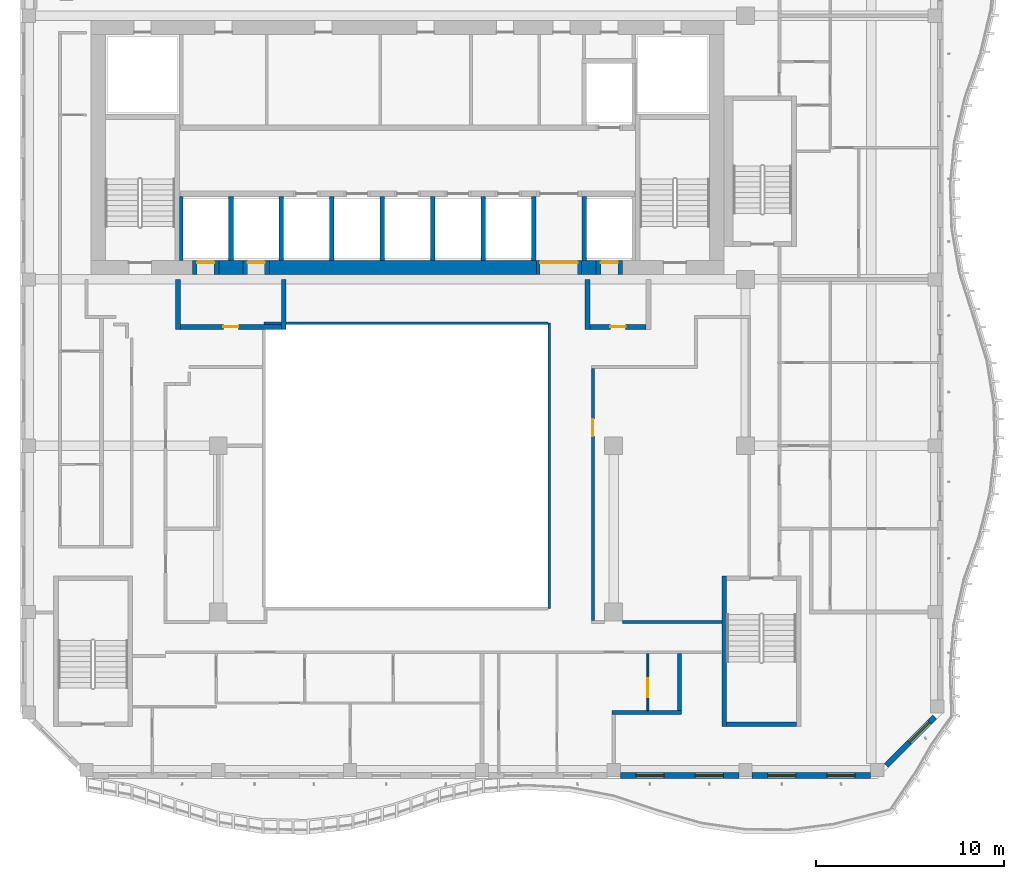
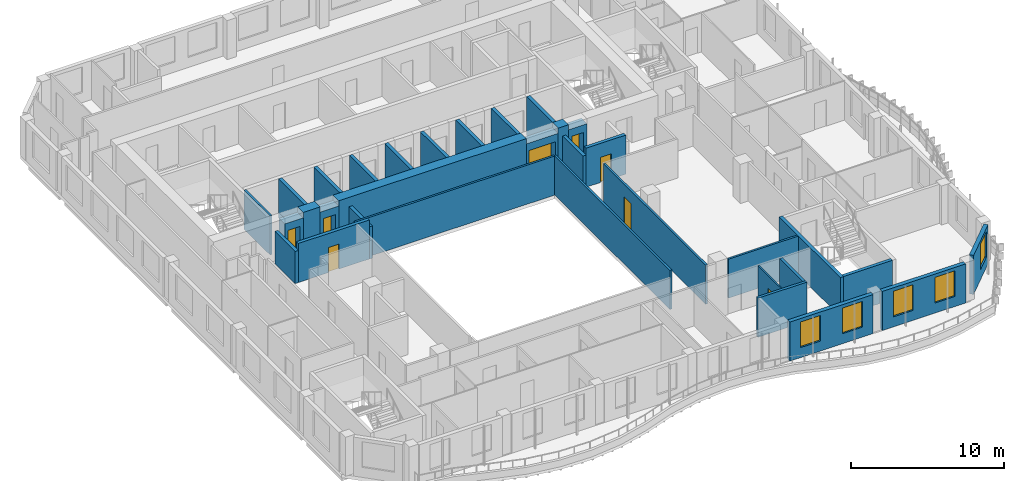
# One storey, part 4 of 19: 33 walls, 8 doors, 5 windows, 13 openings.
"""IFC4 building model written with IfcOpenShell, lengths in metres."""

from ifc_helpers import new_model, si_unit, direction, frame, frame_2d, origin, place, context, subcontext, project, spatial, rectangle, extrude, source, transform, mapped, material, layer, layer_set, type_object, element, fill, save


model = new_model("IFC4")

# Units and contexts
model_context = context("Model", 3, precision=1e-05, world=origin(), true_north=direction((0.0, 1.0)))
body_context = subcontext(model_context, "Body", "Model", "MODEL_VIEW")
ifc_project = project(units=[si_unit("LENGTHUNIT", "METRE"), si_unit("AREAUNIT", "SQUARE_METRE"), si_unit("VOLUMEUNIT", "CUBIC_METRE"), si_unit("PLANEANGLEUNIT", "RADIAN"), si_unit("MASSUNIT", "GRAM", prefix="KILO")], contexts=[model_context])

# Site, building, storey
site_placement = place(None, origin())
site = spatial("IfcSite", under=ifc_project, at=site_placement, CompositionType="ELEMENT")
building_placement = place(site_placement, origin())
building = spatial("IfcBuilding", under=site, at=building_placement, Name="Kilnfold Tower and Market Hall", CompositionType="ELEMENT")
storey_placement = place(building_placement, frame((0.0, 0.0, 242.39990234375)))
storey = spatial("IfcBuildingStorey", under=building, at=storey_placement, Name="L58", CompositionType="ELEMENT", Elevation=242.39990234375)

# Walls
ifc_material_1 = material(Name="Fire-resisting glazed screen")
ifc_layer_1 = layer(ifc_material_1, 0.14990234375)
ifc_layer_set_1 = layer_set([ifc_layer_1], Name="Fire-resisting glazed screen")
wall_type_1 = type_object("IfcWallType", Name="WALL ATRIUM 150", PredefinedType="PARTITIONING", material=ifc_layer_set_1)
wall_1_placement = place(storey_placement, frame((-6.574951171875, 5.675048828125, 0.0), z_axis=(0.0, 0.0, 1.0), x_axis=(1.0, 0.0, 0.0)))
element("IfcWall", 1, at=wall_1_placement, inside=storey, type_object=wall_type_1, Name="Partition LY35.110", PredefinedType="PARTITIONING", context=body_context, shape_type="SweptSolid", body=[
    extrude(rectangle(XDim=15.074951171875, YDim=0.14990234375, at=frame_2d((7.53759765625, 0.0))), origin(), (0.0, 0.0, 1.0), 3.1201171875),
])
wall_2_placement = place(storey_placement, frame((8.574951171875, 5.675048828125, 0.0), z_axis=(0.0, 0.0, 1.0), x_axis=(0.0, -1.0, 0.0)))
element("IfcWall", 2, at=wall_2_placement, inside=storey, type_object=wall_type_1, Name="Partition LY35.111", PredefinedType="PARTITIONING", context=body_context, shape_type="SweptSolid", body=[
    extrude(rectangle(XDim=15.150146484375, YDim=0.14990234375, at=frame_2d((7.5751953125, 0.0))), origin(), (0.0, 0.0, 1.0), 3.1201171875),
])

# Wall, opening, door
ifc_material_2 = material(Name="Gypsum board on steel studs", Category="steel")
ifc_layer_2 = layer(ifc_material_2, 0.14990234375)
ifc_layer_set_2 = layer_set([ifc_layer_2], Name="Gypsum board on steel studs")
wall_type_2 = type_object("IfcWallType", Name="WALL CORRIDOR 150", PredefinedType="PARTITIONING", material=ifc_layer_set_2)
wall_3_placement = place(storey_placement, frame((10.89990234375, -10.125, 0.0), z_axis=(0.0, 0.0, 1.0), x_axis=(0.0, 1.0, 0.0)))
wall_3 = element("IfcWall", 3, at=wall_3_placement, inside=storey, type_object=wall_type_2, Name="Partition LY35.45", PredefinedType="PARTITIONING", context=body_context, shape_type="SweptSolid", body=[
    extrude(rectangle(XDim=13.39990234375, YDim=0.14990234375, at=frame_2d((6.699951171875, 0.0))), origin(), (0.0, 0.0, 1.0), 3.1201171875),
])
opening_1_placement = place(wall_3_placement, frame((9.800048828125, 0.0, 0.0)))
opening_1 = element("IfcOpeningElement", 4, at=opening_1_placement, cuts=wall_3, Name="Opening D2", PredefinedType="OPENING", context=body_context, shape_type="SweptSolid", body=[
    extrude(rectangle(XDim=0.89990234375, YDim=2.10009765625, at=frame_2d((0.449951171875, 1.050048828125))), frame((0.0, 0.0849609375, 0.0), z_axis=(0.0, -1.0, 0.0), x_axis=(1.0, 0.0, 0.0)), (0.0, 0.0, 1.0), 0.169921875),
])
ifc_material_3 = material(Name="Timber veneer door leaf in steel frame", Category="steel")
door_type_1 = type_object("IfcDoorType", Name="DOOR ROOM 900 X2100", OperationType="NOTDEFINED", PredefinedType="DOOR", material=ifc_material_3)
door_1_placement = place(opening_1_placement, origin())
door_1 = element("IfcDoor", 5, at=door_1_placement, inside=storey, type_object=door_type_1, Name="Door D2", OperationType="SINGLE_SWING_LEFT", OverallHeight=2.10009765625, OverallWidth=0.89990234375, PredefinedType="DOOR", context=body_context, shape_type="SweptSolid", body=[
    extrude(rectangle(XDim=0.89990234375, YDim=2.10009765625, at=frame_2d((0.449951171875, 1.050048828125))), frame((0.0, 0.02490234375, 0.0), z_axis=(0.0, -1.0, 0.0), x_axis=(1.0, 0.0, 0.0)), (0.0, 0.0, 1.0), 0.050048828125),
])
fill(opening_1, door_1)

# Wall
wall_4_placement = place(storey_placement, frame((12.47509765625, -10.199951171875, 0.0), z_axis=(0.0, 0.0, 1.0), x_axis=(1.0, 0.0, 0.0)))
element("IfcWall", 6, at=wall_4_placement, inside=storey, type_object=wall_type_2, Name="Partition LY35.46", PredefinedType="PARTITIONING", context=body_context, shape_type="SweptSolid", body=[
    extrude(rectangle(XDim=5.27490234375, YDim=0.14990234375, at=frame_2d((2.637451171875, 0.0))), origin(), (0.0, 0.0, 1.0), 3.1201171875),
])

# Wall, opening, door
ifc_material_4 = material(Name="Gypsum board on steel studs", Category="steel")
ifc_layer_3 = layer(ifc_material_4, 0.10009765625)
ifc_layer_set_3 = layer_set([ifc_layer_3], Name="Gypsum board on steel studs")
wall_type_3 = type_object("IfcWallType", Name="WALL PARTITION 100", PredefinedType="PARTITIONING", material=ifc_layer_set_3)
wall_5_placement = place(storey_placement, frame((13.820068359375, -14.89990234375, 0.0), z_axis=(0.0, 0.0, 1.0), x_axis=(0.0, 1.0, 0.0)))
wall_5 = element("IfcWall", 7, at=wall_5_placement, inside=storey, type_object=wall_type_3, Name="Partition LY35.65", PredefinedType="PARTITIONING", context=body_context, shape_type="SweptSolid", body=[
    extrude(rectangle(XDim=3.02294921875, YDim=0.10009765625, at=frame_2d((1.511474609375, 0.0))), origin(), (0.0, 0.0, 1.0), 3.1201171875),
])
opening_2_placement = place(wall_5_placement, frame((0.70703125, 0.0, 0.0)))
opening_2 = element("IfcOpeningElement", 8, at=opening_2_placement, cuts=wall_5, Name="Opening D1", PredefinedType="OPENING", context=body_context, shape_type="SweptSolid", body=[
    extrude(rectangle(XDim=1.0, YDim=2.10009765625, at=frame_2d((0.5, 1.050048828125))), frame((0.0, 0.06005859375, 0.0), z_axis=(0.0, -1.0, 0.0), x_axis=(1.0, 0.0, 0.0)), (0.0, 0.0, 1.0), 0.1201171875),
])
ifc_material_5 = material(Name="Timber veneer door leaf in steel frame", Category="steel")
door_type_2 = type_object("IfcDoorType", Name="DOOR ENTRY 1000 X2100", OperationType="NOTDEFINED", PredefinedType="DOOR", material=ifc_material_5)
door_2_placement = place(opening_2_placement, origin())
door_2 = element("IfcDoor", 9, at=door_2_placement, inside=storey, type_object=door_type_2, Name="Door D1", OperationType="SINGLE_SWING_RIGHT", OverallHeight=2.10009765625, OverallWidth=1.0, PredefinedType="DOOR", context=body_context, shape_type="SweptSolid", body=[
    extrude(rectangle(XDim=1.0, YDim=2.10009765625, at=frame_2d((0.5, 1.050048828125))), frame((0.0, 0.02490234375, 0.0), z_axis=(0.0, -1.0, 0.0), x_axis=(1.0, 0.0, 0.0)), (0.0, 0.0, 1.0), 0.050048828125),
])
fill(opening_2, door_2)

# Walls
ifc_material_6 = material(Name="Gypsum board on steel studs", Category="steel")
ifc_layer_4 = layer(ifc_material_6, 0.199951171875)
ifc_layer_set_4 = layer_set([ifc_layer_4], Name="Gypsum board on steel studs")
wall_type_4 = type_object("IfcWallType", Name="WALL PARTY 200", PredefinedType="PARTITIONING", material=ifc_layer_set_4)
wall_6_placement = place(storey_placement, frame((11.89990234375, -15.0, 0.0), z_axis=(0.0, 0.0, 1.0), x_axis=(1.0, 0.0, 0.0)))
element("IfcWall", 10, at=wall_6_placement, inside=storey, type_object=wall_type_4, Name="Partition LY35.66", PredefinedType="PARTITIONING", context=body_context, shape_type="SweptSolid", body=[
    extrude(rectangle(XDim=3.7001953125, YDim=0.199951171875, at=frame_2d((1.85009765625, 0.0))), origin(), (0.0, 0.0, 1.0), 3.1201171875),
])
wall_7_placement = place(storey_placement, frame((15.5, -14.89990234375, 0.0), z_axis=(0.0, 0.0, 1.0), x_axis=(0.0, 1.0, 0.0)))
element("IfcWall", 11, at=wall_7_placement, inside=storey, type_object=wall_type_4, Name="Partition LY35.68", PredefinedType="PARTITIONING", context=body_context, shape_type="SweptSolid", body=[
    extrude(rectangle(XDim=3.02294921875, YDim=0.199951171875, at=frame_2d((1.511474609375, 0.0))), origin(), (0.0, 0.0, 1.0), 3.1201171875),
])
ifc_material_7 = material(Name="Concrete C60", Category="concrete")
ifc_layer_5 = layer(ifc_material_7, 0.25)
ifc_layer_set_5 = layer_set([ifc_layer_5], Name="Concrete C60")
wall_type_5 = type_object("IfcWallType", Name="CORE WALL 250 C60", PredefinedType="SHEAR", material=ifc_layer_set_5)
shared_shape_1 = source(origin(), body_context, "Body", "SweptSolid", [
    extrude(rectangle(XDim=3.699951171875, YDim=0.25, at=frame_2d((1.85009765625, 0.0))), origin(), (0.0, 0.0, 1.0), 3.1201171875),
])
wall_8_placement = place(storey_placement, frame((18.0, -15.625, 0.0), z_axis=(0.0, 0.0, 1.0), x_axis=(1.0, 0.0, 0.0)))
element("IfcWall", 12, at=wall_8_placement, inside=storey, type_object=wall_type_5, Name="Stair enclosure ST4", PredefinedType="SHEAR", context=body_context, shape_type="MappedRepresentation", body=[
    mapped(shared_shape_1, transform((0.0, 0.0, 0.0))),
])
shared_shape_2 = source(origin(), body_context, "Body", "SweptSolid", [
    extrude(rectangle(XDim=8.0, YDim=0.25, at=frame_2d((4.0, 0.0))), origin(), (0.0, 0.0, 1.0), 3.1201171875),
])
wall_9_placement = place(storey_placement, frame((17.875, -15.75, 0.0), z_axis=(0.0, 0.0, 1.0), x_axis=(0.0, 1.0, 0.0)))
element("IfcWall", 13, at=wall_9_placement, inside=storey, type_object=wall_type_5, Name="Stair enclosure ST4", PredefinedType="SHEAR", context=body_context, shape_type="MappedRepresentation", body=[
    mapped(shared_shape_2, transform((0.0, 0.0, 0.0))),
])
ifc_material_8 = material(Name="Concrete C60", Category="concrete")
ifc_layer_6 = layer(ifc_material_8, 0.75)
ifc_layer_set_6 = layer_set([ifc_layer_6], Name="Concrete C60")
wall_type_6 = type_object("IfcWallType", Name="CORE WALL 750 C60", PredefinedType="SHEAR", material=ifc_layer_set_6)
shared_shape_3 = source(origin(), body_context, "Body", "SweptSolid", [
    extrude(rectangle(XDim=1.280029296875, YDim=0.75, at=frame_2d((0.64013671875, 0.0))), origin(), (0.0, 0.0, 1.0), 3.1201171875),
])
wall_10_placement = place(storey_placement, frame((-8.969970703125, 8.625, 0.0), z_axis=(0.0, 0.0, 1.0), x_axis=(1.0, 0.0, 0.0)))
element("IfcWall", 14, at=wall_10_placement, inside=storey, type_object=wall_type_6, Name="Core outer wall south", PredefinedType="SHEAR", context=body_context, shape_type="MappedRepresentation", body=[
    mapped(shared_shape_3, transform((0.0, 0.0, 0.0))),
])
shared_shape_4 = source(origin(), body_context, "Body", "SweptSolid", [
    extrude(rectangle(XDim=14.179931640625, YDim=0.75, at=frame_2d((7.08984375, 0.0))), origin(), (0.0, 0.0, 1.0), 3.1201171875),
])
wall_11_placement = place(storey_placement, frame((-6.2900390625, 8.625, 0.0), z_axis=(0.0, 0.0, 1.0), x_axis=(1.0, 0.0, 0.0)))
element("IfcWall", 15, at=wall_11_placement, inside=storey, type_object=wall_type_6, Name="Core outer wall south", PredefinedType="SHEAR", context=body_context, shape_type="MappedRepresentation", body=[
    mapped(shared_shape_4, transform((0.0, 0.0, 0.0))),
])
shared_shape_5 = source(origin(), body_context, "Body", "SweptSolid", [
    extrude(rectangle(XDim=0.780029296875, YDim=0.75, at=frame_2d((0.39013671875, 0.0))), origin(), (0.0, 0.0, 1.0), 3.1201171875),
])
wall_12_placement = place(storey_placement, frame((10.2900390625, 8.625, 0.0), z_axis=(0.0, 0.0, 1.0), x_axis=(1.0, 0.0, 0.0)))
element("IfcWall", 16, at=wall_12_placement, inside=storey, type_object=wall_type_6, Name="Core outer wall south", PredefinedType="SHEAR", context=body_context, shape_type="MappedRepresentation", body=[
    mapped(shared_shape_5, transform((0.0, 0.0, 0.0))),
])

# Wall, openings, windows
ifc_material_9 = material(Name="Precast concrete C50/60", Category="concrete")
ifc_layer_7 = layer(ifc_material_9, 0.300048828125)
ifc_layer_set_7 = layer_set([ifc_layer_7], Name="Precast concrete C50/60")
wall_type_7 = type_object("IfcWallType", Name="PRECAST WALL 300", PredefinedType="SOLIDWALL", material=ifc_layer_set_7)
shared_shape_6 = source(origin(), body_context, "Body", "SweptSolid", [
    extrude(rectangle(XDim=6.2998046875, YDim=0.300048828125, at=frame_2d((3.14990234375, 0.0))), origin(), (0.0, 0.0, 1.0), 3.1201171875),
])
wall_13_placement = place(storey_placement, frame((12.35009765625, -18.35009765625, 0.0), z_axis=(0.0, 0.0, 1.0), x_axis=(1.0, 0.0, 0.0)))
wall_13 = element("IfcWall", 17, at=wall_13_placement, inside=storey, type_object=wall_type_7, Name="External wall L58 S", PredefinedType="SOLIDWALL", context=body_context, shape_type="MappedRepresentation", body=[
    mapped(shared_shape_6, transform((0.0, 0.0, 0.0))),
])
opening_3_placement = place(wall_13_placement, frame((0.824951171875, 0.0, 0.800048828125)))
opening_3 = element("IfcOpeningElement", 18, at=opening_3_placement, cuts=wall_13, Name="Opening W5", PredefinedType="OPENING", context=body_context, shape_type="SweptSolid", body=[
    extrude(rectangle(XDim=1.5, YDim=2.050048828125, at=frame_2d((0.75, 1.02490234375))), frame((0.0, 0.16015625, 0.0), z_axis=(0.0, -1.0, 0.0), x_axis=(1.0, 0.0, 0.0)), (0.0, 0.0, 1.0), 0.320068359375),
])
opening_4_placement = place(wall_13_placement, frame((3.97509765625, 0.0, 0.800048828125)))
opening_4 = element("IfcOpeningElement", 19, at=opening_4_placement, cuts=wall_13, Name="Opening W5", PredefinedType="OPENING", context=body_context, shape_type="SweptSolid", body=[
    extrude(rectangle(XDim=1.5, YDim=2.050048828125, at=frame_2d((0.75, 1.02490234375))), frame((0.0, 0.16015625, 0.0), z_axis=(0.0, -1.0, 0.0), x_axis=(1.0, 0.0, 0.0)), (0.0, 0.0, 1.0), 0.320068359375),
])
ifc_material_10 = material(Name="Aluminium frame and double glazing", Category="aluminium")
window_type = type_object("IfcWindowType", Name="WINDOW W5 1500X2050", PartitioningType="SINGLE_PANEL", PredefinedType="WINDOW", material=ifc_material_10)
window_1_placement = place(opening_3_placement, origin())
window_1 = element("IfcWindow", 20, at=window_1_placement, inside=storey, type_object=window_type, Name="Window W5 L58 S-1", OverallHeight=2.050048828125, OverallWidth=1.5, PartitioningType="SINGLE_PANEL", PredefinedType="WINDOW", context=body_context, shape_type="SweptSolid", body=[
    extrude(rectangle(XDim=1.5, YDim=2.050048828125, at=frame_2d((0.75, 1.02490234375))), frame((0.0, 0.030029296875, 0.0), z_axis=(0.0, -1.0, 0.0), x_axis=(1.0, 0.0, 0.0)), (0.0, 0.0, 1.0), 0.06005859375),
])
fill(opening_3, window_1)
window_2_placement = place(opening_4_placement, origin())
window_2 = element("IfcWindow", 21, at=window_2_placement, inside=storey, type_object=window_type, Name="Window W5 L58 S-2", OverallHeight=2.050048828125, OverallWidth=1.5, PartitioningType="SINGLE_PANEL", PredefinedType="WINDOW", context=body_context, shape_type="SweptSolid", body=[
    extrude(rectangle(XDim=1.5, YDim=2.050048828125, at=frame_2d((0.75, 1.02490234375))), frame((0.0, 0.030029296875, 0.0), z_axis=(0.0, -1.0, 0.0), x_axis=(1.0, 0.0, 0.0)), (0.0, 0.0, 1.0), 0.06005859375),
])
fill(opening_4, window_2)

wall_14_placement = place(storey_placement, frame((19.35009765625, -18.35009765625, 0.0), z_axis=(0.0, 0.0, 1.0), x_axis=(1.0, 0.0, 0.0)))
wall_14 = element("IfcWall", 22, at=wall_14_placement, inside=storey, type_object=wall_type_7, Name="External wall L58 S", PredefinedType="SOLIDWALL", context=body_context, shape_type="MappedRepresentation", body=[
    mapped(shared_shape_6, transform((0.0, 0.0, 0.0))),
])
opening_5_placement = place(wall_14_placement, frame((0.824951171875, 0.0, 0.800048828125)))
opening_5 = element("IfcOpeningElement", 23, at=opening_5_placement, cuts=wall_14, Name="Opening W5", PredefinedType="OPENING", context=body_context, shape_type="SweptSolid", body=[
    extrude(rectangle(XDim=1.5, YDim=2.050048828125, at=frame_2d((0.75, 1.02490234375))), frame((0.0, 0.16015625, 0.0), z_axis=(0.0, -1.0, 0.0), x_axis=(1.0, 0.0, 0.0)), (0.0, 0.0, 1.0), 0.320068359375),
])
opening_6_placement = place(wall_14_placement, frame((3.97509765625, 0.0, 0.800048828125)))
opening_6 = element("IfcOpeningElement", 24, at=opening_6_placement, cuts=wall_14, Name="Opening W5", PredefinedType="OPENING", context=body_context, shape_type="SweptSolid", body=[
    extrude(rectangle(XDim=1.5, YDim=2.050048828125, at=frame_2d((0.75, 1.02490234375))), frame((0.0, 0.16015625, 0.0), z_axis=(0.0, -1.0, 0.0), x_axis=(1.0, 0.0, 0.0)), (0.0, 0.0, 1.0), 0.320068359375),
])
window_3_placement = place(opening_5_placement, origin())
window_3 = element("IfcWindow", 25, at=window_3_placement, inside=storey, type_object=window_type, Name="Window W5 L58 S-1", OverallHeight=2.050048828125, OverallWidth=1.5, PartitioningType="SINGLE_PANEL", PredefinedType="WINDOW", context=body_context, shape_type="SweptSolid", body=[
    extrude(rectangle(XDim=1.5, YDim=2.050048828125, at=frame_2d((0.75, 1.02490234375))), frame((0.0, 0.030029296875, 0.0), z_axis=(0.0, -1.0, 0.0), x_axis=(1.0, 0.0, 0.0)), (0.0, 0.0, 1.0), 0.06005859375),
])
fill(opening_5, window_3)
window_4_placement = place(opening_6_placement, origin())
window_4 = element("IfcWindow", 26, at=window_4_placement, inside=storey, type_object=window_type, Name="Window W5 L58 S-2", OverallHeight=2.050048828125, OverallWidth=1.5, PartitioningType="SINGLE_PANEL", PredefinedType="WINDOW", context=body_context, shape_type="SweptSolid", body=[
    extrude(rectangle(XDim=1.5, YDim=2.050048828125, at=frame_2d((0.75, 1.02490234375))), frame((0.0, 0.030029296875, 0.0), z_axis=(0.0, -1.0, 0.0), x_axis=(1.0, 0.0, 0.0)), (0.0, 0.0, 1.0), 0.06005859375),
])
fill(opening_6, window_4)

# Wall, opening, window
shared_shape_7 = source(origin(), body_context, "Body", "SweptSolid", [
    extrude(rectangle(XDim=3.6416015625, YDim=0.300048828125, at=frame_2d((1.82080078125, 0.0))), origin(), (0.0, 0.0, 1.0), 3.1201171875),
])
wall_15_placement = place(storey_placement, frame((26.468994140625, -17.81884765625, 0.0), z_axis=(0.0, 0.0, 1.0), x_axis=(0.707106781187, 0.707106781187, 0.0)))
wall_15 = element("IfcWall", 27, at=wall_15_placement, inside=storey, type_object=wall_type_7, Name="External wall L58 SE", PredefinedType="SOLIDWALL", context=body_context, shape_type="MappedRepresentation", body=[
    mapped(shared_shape_7, transform((0.0, 0.0, 0.0))),
])
opening_7_placement = place(wall_15_placement, frame((1.75, 0.0, 0.800048828125)))
opening_7 = element("IfcOpeningElement", 28, at=opening_7_placement, cuts=wall_15, Name="Opening W5", PredefinedType="OPENING", context=body_context, shape_type="SweptSolid", body=[
    extrude(rectangle(XDim=1.5, YDim=2.050048828125, at=frame_2d((0.75, 1.02490234375))), frame((0.0, 0.16015625, 0.0), z_axis=(0.0, -1.0, 0.0), x_axis=(1.0, 0.0, 0.0)), (0.0, 0.0, 1.0), 0.320068359375),
])
window_5_placement = place(opening_7_placement, origin())
window_5 = element("IfcWindow", 29, at=window_5_placement, inside=storey, type_object=window_type, Name="Window W5 L58 SE-1", OverallHeight=2.050048828125, OverallWidth=1.5, PartitioningType="SINGLE_PANEL", PredefinedType="WINDOW", context=body_context, shape_type="SweptSolid", body=[
    extrude(rectangle(XDim=1.5, YDim=2.050048828125, at=frame_2d((0.75, 1.02490234375))), frame((0.0, 0.030029296875, 0.0), z_axis=(0.0, -1.0, 0.0), x_axis=(1.0, 0.0, 0.0)), (0.0, 0.0, 1.0), 0.06005859375),
])
fill(opening_7, window_5)

# Wall, opening, door
ifc_material_11 = material(Name="Gypsum shaft wall system")
ifc_layer_8 = layer(ifc_material_11, 0.25)
ifc_layer_set_8 = layer_set([ifc_layer_8], Name="Gypsum shaft wall system")
wall_type_8 = type_object("IfcWallType", Name="LOBBY WALL 250", PredefinedType="PARTITIONING", material=ifc_layer_set_8)
shared_shape_8 = source(origin(), body_context, "Body", "SweptSolid", [
    extrude(rectangle(XDim=5.360107421875, YDim=0.25, at=frame_2d((2.68017578125, 0.0))), origin(), (0.0, 0.0, 1.0), 3.1201171875),
])
wall_16_placement = place(storey_placement, frame((-11.010009765625, 5.47509765625, 0.0), z_axis=(0.0, 0.0, 1.0), x_axis=(1.0, 0.0, 0.0)))
wall_16 = element("IfcWall", 30, at=wall_16_placement, inside=storey, type_object=wall_type_8, Name="Firefighting lobby wall", PredefinedType="PARTITIONING", context=body_context, shape_type="MappedRepresentation", body=[
    mapped(shared_shape_8, transform((0.0, 0.0, 0.0))),
])
opening_8_placement = place(wall_16_placement, frame((2.280029296875, 0.0, 0.0)))
opening_8 = element("IfcOpeningElement", 31, at=opening_8_placement, cuts=wall_16, Name="Opening VD1", PredefinedType="OPENING", context=body_context, shape_type="SweptSolid", body=[
    extrude(rectangle(XDim=0.800048828125, YDim=2.0, at=frame_2d((0.39990234375, 1.0))), frame((0.0, 0.135009765625, 0.0), z_axis=(0.0, -1.0, 0.0), x_axis=(1.0, 0.0, 0.0)), (0.0, 0.0, 1.0), 0.27001953125),
])
ifc_material_12 = material(Name="Steel door set with fire-resisting leaf", Category="steel")
door_type_3 = type_object("IfcDoorType", Name="FIREFIGHTING LOBBY DOOR 800X2000", OperationType="NOTDEFINED", PredefinedType="DOOR", material=ifc_material_12)
door_3_placement = place(opening_8_placement, origin())
door_3 = element("IfcDoor", 32, at=door_3_placement, inside=storey, type_object=door_type_3, Name="Firefighting lobby door", OperationType="SINGLE_SWING_LEFT", OverallHeight=2.0, OverallWidth=0.800048828125, PredefinedType="DOOR", context=body_context, shape_type="SweptSolid", body=[
    extrude(rectangle(XDim=0.800048828125, YDim=2.0, at=frame_2d((0.39990234375, 1.0))), frame((0.0, 0.02490234375, 0.0), z_axis=(0.0, -1.0, 0.0), x_axis=(1.0, 0.0, 0.0)), (0.0, 0.0, 1.0), 0.050048828125),
])
fill(opening_8, door_3)

shared_shape_9 = source(origin(), body_context, "Body", "SweptSolid", [
    extrude(rectangle(XDim=3.0, YDim=0.25, at=frame_2d((1.5, 0.0))), origin(), (0.0, 0.0, 1.0), 3.1201171875),
])
wall_17_placement = place(storey_placement, frame((10.72998046875, 5.47509765625, 0.0), z_axis=(0.0, 0.0, 1.0), x_axis=(1.0, 0.0, 0.0)))
wall_17 = element("IfcWall", 33, at=wall_17_placement, inside=storey, type_object=wall_type_8, Name="Firefighting lobby wall", PredefinedType="PARTITIONING", context=body_context, shape_type="MappedRepresentation", body=[
    mapped(shared_shape_9, transform((0.0, 0.0, 0.0))),
])
opening_9_placement = place(wall_17_placement, frame((1.10009765625, 0.0, 0.0)))
opening_9 = element("IfcOpeningElement", 34, at=opening_9_placement, cuts=wall_17, Name="Opening VD1", PredefinedType="OPENING", context=body_context, shape_type="SweptSolid", body=[
    extrude(rectangle(XDim=0.800048828125, YDim=2.0, at=frame_2d((0.39990234375, 1.0))), frame((0.0, 0.135009765625, 0.0), z_axis=(0.0, -1.0, 0.0), x_axis=(1.0, 0.0, 0.0)), (0.0, 0.0, 1.0), 0.27001953125),
])
door_4_placement = place(opening_9_placement, origin())
door_4 = element("IfcDoor", 35, at=door_4_placement, inside=storey, type_object=door_type_3, Name="Firefighting lobby door", OperationType="SINGLE_SWING_RIGHT", OverallHeight=2.0, OverallWidth=0.800048828125, PredefinedType="DOOR", context=body_context, shape_type="SweptSolid", body=[
    extrude(rectangle(XDim=0.800048828125, YDim=2.0, at=frame_2d((0.39990234375, 1.0))), frame((0.0, 0.02490234375, 0.0), z_axis=(0.0, -1.0, 0.0), x_axis=(1.0, 0.0, 0.0)), (0.0, 0.0, 1.0), 0.050048828125),
])
fill(opening_9, door_4)

# Walls
ifc_material_13 = material(Name="Gypsum shaft wall system")
ifc_layer_9 = layer(ifc_material_13, 0.25)
ifc_layer_set_9 = layer_set([ifc_layer_9], Name="Gypsum shaft wall system")
wall_type_9 = type_object("IfcWallType", Name="SHAFT WALL 250", PredefinedType="PARTITIONING", material=ifc_layer_set_9)
shared_shape_10 = source(origin(), body_context, "Body", "SweptSolid", [
    extrude(rectangle(XDim=3.39990234375, YDim=0.25, at=frame_2d((1.699951171875, 0.0))), origin(), (0.0, 0.0, 1.0), 3.1201171875),
])
for number, where, z_axis, x_axis, name in (
    (36, (10.429931640625, 9.0, 0.0), (0.0, 0.0, 1.0), (0.0, 1.0, 0.0), "Lift shaft wall"),
    (37, (2.389892578125, 9.0, 0.0), (0.0, 0.0, 1.0), (0.0, 1.0, 0.0), "Lift shaft wall"),
    (38, (5.070068359375, 9.0, 0.0), (0.0, 0.0, 1.0), (0.0, 1.0, 0.0), "Lift shaft wall"),
    (39, (7.75, 9.0, 0.0), (0.0, 0.0, 1.0), (0.0, 1.0, 0.0), "Lift shaft wall"),
    (40, (-0.2900390625, 9.0, 0.0), (0.0, 0.0, 1.0), (0.0, 1.0, 0.0), "Lift shaft wall"),
    (41, (-2.969970703125, 9.0, 0.0), (0.0, 0.0, 1.0), (0.0, 1.0, 0.0), "Lift shaft wall"),
    (42, (-5.64990234375, 9.0, 0.0), (0.0, 0.0, 1.0), (0.0, 1.0, 0.0), "Lift shaft wall"),
    (43, (-8.330078125, 9.0, 0.0), (0.0, 0.0, 1.0), (0.0, 1.0, 0.0), "Lift shaft wall"),
):
    element("IfcWall", number, at=place(storey_placement, frame(where, z_axis=z_axis, x_axis=x_axis)), inside=storey, type_object=wall_type_9, Name=name, PredefinedType="PARTITIONING", context=body_context, shape_type="MappedRepresentation", body=[
        mapped(shared_shape_10, transform((0.0, 0.0, 0.0))),
    ])
ifc_material_14 = material(Name="Gypsum shaft wall system")
ifc_layer_10 = layer(ifc_material_14, 0.1650390625)
ifc_layer_set_10 = layer_set([ifc_layer_10], Name="Gypsum shaft wall system")
wall_type_10 = type_object("IfcWallType", Name="SHAFT WALL 165", PredefinedType="PARTITIONING", material=ifc_layer_set_10)
shared_shape_11 = source(origin(), body_context, "Body", "SweptSolid", [
    extrude(rectangle(XDim=3.39990234375, YDim=0.1650390625, at=frame_2d((1.699951171875, 0.0))), origin(), (0.0, 0.0, 1.0), 3.1201171875),
])
wall_18_placement = place(storey_placement, frame((-10.967529296875, 9.0, 0.0), z_axis=(0.0, 0.0, 1.0), x_axis=(0.0, 1.0, 0.0)))
element("IfcWall", 44, at=wall_18_placement, inside=storey, type_object=wall_type_10, Name="Lift shaft wall", PredefinedType="PARTITIONING", context=body_context, shape_type="MappedRepresentation", body=[
    mapped(shared_shape_11, transform((0.0, 0.0, 0.0))),
])

# Wall, opening, door
ifc_material_15 = material(Name="Gypsum shaft wall system")
ifc_layer_11 = layer(ifc_material_15, 0.75)
ifc_layer_set_11 = layer_set([ifc_layer_11], Name="Gypsum shaft wall system")
wall_type_11 = type_object("IfcWallType", Name="LOBBY WALL 750", PredefinedType="PARTITIONING", material=ifc_layer_set_11)
shared_shape_12 = source(origin(), body_context, "Body", "SweptSolid", [
    extrude(rectangle(XDim=1.400146484375, YDim=0.75, at=frame_2d((0.7001953125, 0.0))), origin(), (0.0, 0.0, 1.0), 2.7001953125),
])
wall_19_placement = place(storey_placement, frame((-10.3701171875, 8.625, 0.0), z_axis=(0.0, 0.0, 1.0), x_axis=(1.0, 0.0, 0.0)))
wall_19 = element("IfcWall", 45, at=wall_19_placement, inside=storey, type_object=wall_type_11, Name="Core wall infill", PredefinedType="PARTITIONING", context=body_context, shape_type="MappedRepresentation", body=[
    mapped(shared_shape_12, transform((0.0, 0.0, 0.0))),
])
opening_10_placement = place(wall_19_placement, frame((0.25, 0.0, 0.0)))
opening_10 = element("IfcOpeningElement", 46, at=opening_10_placement, cuts=wall_19, Name="Opening LD1", PredefinedType="OPENING", context=body_context, shape_type="SweptSolid", body=[
    extrude(rectangle(XDim=0.89990234375, YDim=2.10009765625, at=frame_2d((0.449951171875, 1.050048828125))), frame((0.0, 0.385009765625, 0.0), z_axis=(0.0, -1.0, 0.0), x_axis=(1.0, 0.0, 0.0)), (0.0, 0.0, 1.0), 0.77001953125),
])
ifc_material_16 = material(Name="Steel door set with fire-resisting leaf", Category="steel")
door_type_4 = type_object("IfcDoorType", Name="FIREFIGHTING LANDING DOOR 900X2100", OperationType="NOTDEFINED", PredefinedType="DOOR", material=ifc_material_16)
door_5_placement = place(opening_10_placement, origin())
door_5 = element("IfcDoor", 47, at=door_5_placement, inside=storey, type_object=door_type_4, Name="Landing door FF1", OperationType="SLIDING_TO_LEFT", OverallHeight=2.10009765625, OverallWidth=0.89990234375, PredefinedType="DOOR", context=body_context, shape_type="SweptSolid", body=[
    extrude(rectangle(XDim=0.89990234375, YDim=2.10009765625, at=frame_2d((0.449951171875, 1.050048828125))), frame((0.0, 0.27978515625, 0.0), z_axis=(0.0, -1.0, 0.0), x_axis=(1.0, 0.0, 0.0)), (0.0, 0.0, 1.0), 0.050048828125),
])
fill(opening_10, door_5)

shared_shape_13 = source(origin(), body_context, "Body", "SweptSolid", [
    extrude(rectangle(XDim=1.39990234375, YDim=0.75, at=frame_2d((0.699951171875, 0.0))), origin(), (0.0, 0.0, 1.0), 2.7001953125),
])
wall_20_placement = place(storey_placement, frame((-7.68994140625, 8.625, 0.0), z_axis=(0.0, 0.0, 1.0), x_axis=(1.0, 0.0, 0.0)))
wall_20 = element("IfcWall", 48, at=wall_20_placement, inside=storey, type_object=wall_type_11, Name="Core wall infill", PredefinedType="PARTITIONING", context=body_context, shape_type="MappedRepresentation", body=[
    mapped(shared_shape_13, transform((0.0, 0.0, 0.0))),
])
opening_11_placement = place(wall_20_placement, frame((0.25, 0.0, 0.0)))
opening_11 = element("IfcOpeningElement", 49, at=opening_11_placement, cuts=wall_20, Name="Opening LD1", PredefinedType="OPENING", context=body_context, shape_type="SweptSolid", body=[
    extrude(rectangle(XDim=0.89990234375, YDim=2.10009765625, at=frame_2d((0.449951171875, 1.050048828125))), frame((0.0, 0.385009765625, 0.0), z_axis=(0.0, -1.0, 0.0), x_axis=(1.0, 0.0, 0.0)), (0.0, 0.0, 1.0), 0.77001953125),
])
door_6_placement = place(opening_11_placement, origin())
door_6 = element("IfcDoor", 50, at=door_6_placement, inside=storey, type_object=door_type_4, Name="Landing door FF2", OperationType="SLIDING_TO_RIGHT", OverallHeight=2.10009765625, OverallWidth=0.89990234375, PredefinedType="DOOR", context=body_context, shape_type="SweptSolid", body=[
    extrude(rectangle(XDim=0.89990234375, YDim=2.10009765625, at=frame_2d((0.449951171875, 1.050048828125))), frame((0.0, 0.27978515625, 0.0), z_axis=(0.0, -1.0, 0.0), x_axis=(1.0, 0.0, 0.0)), (0.0, 0.0, 1.0), 0.050048828125),
])
fill(opening_11, door_6)

wall_21_placement = place(storey_placement, frame((11.070068359375, 8.625, 0.0), z_axis=(0.0, 0.0, 1.0), x_axis=(1.0, 0.0, 0.0)))
wall_21 = element("IfcWall", 51, at=wall_21_placement, inside=storey, type_object=wall_type_11, Name="Core wall infill", PredefinedType="PARTITIONING", context=body_context, shape_type="MappedRepresentation", body=[
    mapped(shared_shape_13, transform((0.0, 0.0, 0.0))),
])
opening_12_placement = place(wall_21_placement, frame((0.25, 0.0, 0.0)))
opening_12 = element("IfcOpeningElement", 52, at=opening_12_placement, cuts=wall_21, Name="Opening LD1", PredefinedType="OPENING", context=body_context, shape_type="SweptSolid", body=[
    extrude(rectangle(XDim=0.89990234375, YDim=2.10009765625, at=frame_2d((0.449951171875, 1.050048828125))), frame((0.0, 0.385009765625, 0.0), z_axis=(0.0, -1.0, 0.0), x_axis=(1.0, 0.0, 0.0)), (0.0, 0.0, 1.0), 0.77001953125),
])
door_7_placement = place(opening_12_placement, origin())
door_7 = element("IfcDoor", 53, at=door_7_placement, inside=storey, type_object=door_type_4, Name="Landing door FF3", OperationType="SLIDING_TO_LEFT", OverallHeight=2.10009765625, OverallWidth=0.89990234375, PredefinedType="DOOR", context=body_context, shape_type="SweptSolid", body=[
    extrude(rectangle(XDim=0.89990234375, YDim=2.10009765625, at=frame_2d((0.449951171875, 1.050048828125))), frame((0.0, 0.27978515625, 0.0), z_axis=(0.0, -1.0, 0.0), x_axis=(1.0, 0.0, 0.0)), (0.0, 0.0, 1.0), 0.050048828125),
])
fill(opening_12, door_7)

shared_shape_14 = source(origin(), body_context, "Body", "SweptSolid", [
    extrude(rectangle(XDim=2.400146484375, YDim=0.75, at=frame_2d((1.2001953125, 0.0))), origin(), (0.0, 0.0, 1.0), 2.7001953125),
])
wall_22_placement = place(storey_placement, frame((7.889892578125, 8.625, 0.0), z_axis=(0.0, 0.0, 1.0), x_axis=(1.0, 0.0, 0.0)))
wall_22 = element("IfcWall", 54, at=wall_22_placement, inside=storey, type_object=wall_type_11, Name="Core wall infill", PredefinedType="PARTITIONING", context=body_context, shape_type="MappedRepresentation", body=[
    mapped(shared_shape_14, transform((0.0, 0.0, 0.0))),
])
opening_13_placement = place(wall_22_placement, frame((0.199951171875, 0.0, 0.0)))
opening_13 = element("IfcOpeningElement", 55, at=opening_13_placement, cuts=wall_22, Name="Opening VD2", PredefinedType="OPENING", context=body_context, shape_type="SweptSolid", body=[
    extrude(rectangle(XDim=2.0, YDim=2.10009765625, at=frame_2d((1.0, 1.050048828125))), frame((0.0, 0.385009765625, 0.0), z_axis=(0.0, -1.0, 0.0), x_axis=(1.0, 0.0, 0.0)), (0.0, 0.0, 1.0), 0.77001953125),
])
ifc_material_17 = material(Name="Steel door set with fire-resisting leaf", Category="steel")
door_type_5 = type_object("IfcDoorType", Name="LIFT LOBBY ENTRANCE DOOR 2000X2100", OperationType="NOTDEFINED", PredefinedType="DOOR", material=ifc_material_17)
door_8_placement = place(opening_13_placement, origin())
door_8 = element("IfcDoor", 56, at=door_8_placement, inside=storey, type_object=door_type_5, Name="Lift lobby entrance door", OperationType="DOUBLE_DOOR_SINGLE_SWING", OverallHeight=2.10009765625, OverallWidth=2.0, PredefinedType="DOOR", context=body_context, shape_type="SweptSolid", body=[
    extrude(rectangle(XDim=2.0, YDim=2.10009765625, at=frame_2d((1.0, 1.050048828125))), frame((0.0, 0.27978515625, 0.0), z_axis=(0.0, -1.0, 0.0), x_axis=(1.0, 0.0, 0.0)), (0.0, 0.0, 1.0), 0.050048828125),
])
fill(opening_13, door_8)

# Walls
shared_shape_15 = source(origin(), body_context, "Body", "SweptSolid", [
    extrude(rectangle(XDim=2.64990234375, YDim=0.25, at=frame_2d((1.324951171875, 0.0))), origin(), (0.0, 0.0, 1.0), 2.570068359375),
])
for number, where, z_axis, x_axis, name in (
    (57, (-11.135009765625, 5.35009765625, 0.0), (0.0, 0.0, 1.0), (0.0, 1.0, 0.0), "Firefighting lobby wall"),
    (58, (-5.52490234375, 5.35009765625, 0.0), (0.0, 0.0, 1.0), (0.0, 1.0, 0.0), "Firefighting lobby wall"),
    (59, (10.60498046875, 5.35009765625, 0.0), (0.0, 0.0, 1.0), (0.0, 1.0, 0.0), "Firefighting lobby wall"),
):
    element("IfcWall", number, at=place(storey_placement, frame(where, z_axis=z_axis, x_axis=x_axis)), inside=storey, type_object=wall_type_8, Name=name, PredefinedType="PARTITIONING", context=body_context, shape_type="MappedRepresentation", body=[
        mapped(shared_shape_15, transform((0.0, 0.0, 0.0))),
    ])

save(model, "model.ifc")
